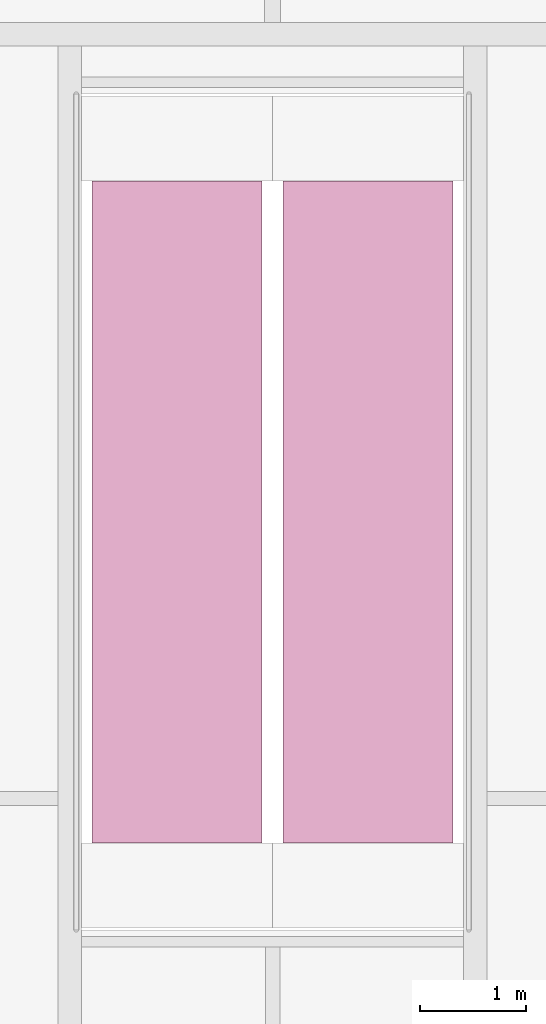
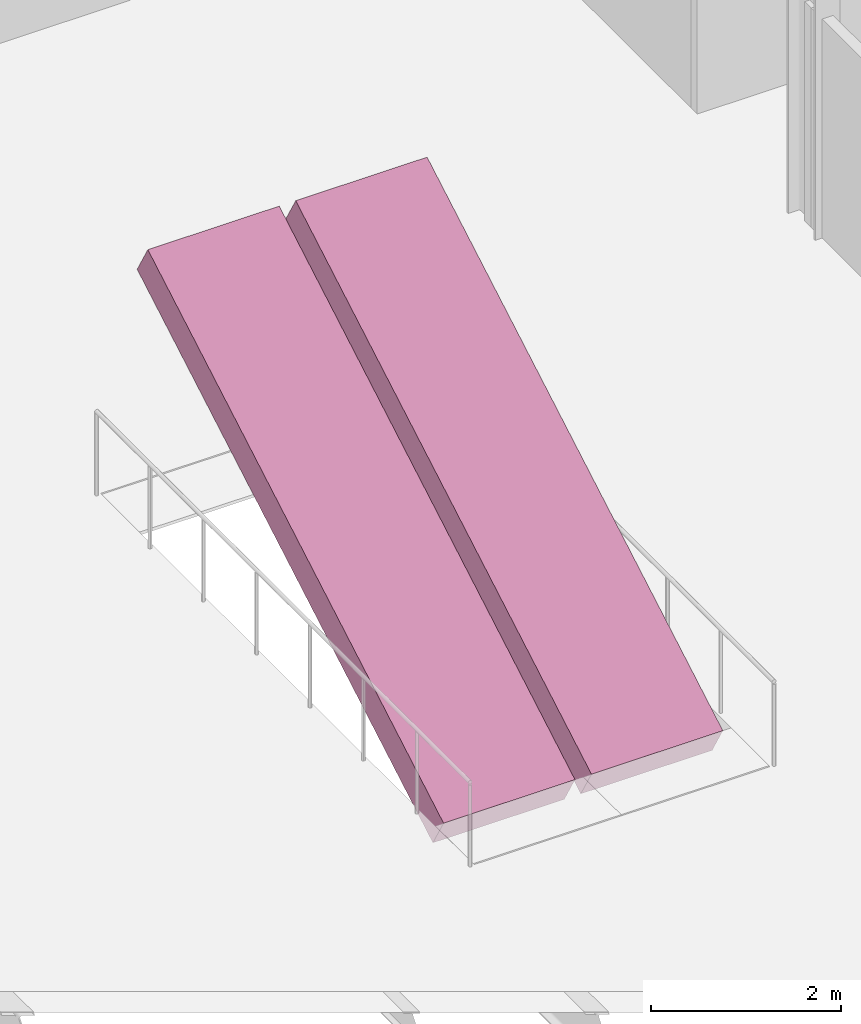
# One storey, part 90 of 90: 2 transport elements.
"""IFC4 building model written with IfcOpenShell, lengths in metres."""

from ifc_helpers import new_model, si_unit, direction, frame, origin, place, context, subcontext, project, spatial, polyline, outline, extrude, material, type_object, element, save


model = new_model("IFC4")

# Units and contexts
model_context = context("Model", 3, precision=1e-05, world=origin(), true_north=direction((0.0, 1.0)))
body_context = subcontext(model_context, "Body", "Model", "MODEL_VIEW")
ifc_project = project(units=[si_unit("LENGTHUNIT", "METRE"), si_unit("AREAUNIT", "SQUARE_METRE"), si_unit("VOLUMEUNIT", "CUBIC_METRE"), si_unit("PLANEANGLEUNIT", "RADIAN"), si_unit("MASSUNIT", "GRAM", prefix="KILO")], contexts=[model_context])

# Site, building, storey
site_placement = place(None, origin())
site = spatial("IfcSite", under=ifc_project, at=site_placement, CompositionType="ELEMENT")
building_placement = place(site_placement, origin())
building = spatial("IfcBuilding", under=site, at=building_placement, Name="Kupolbacken Congress Centre", CompositionType="ELEMENT")
storey_placement = place(building_placement, frame((0.0, 0.0, 3.60009765625)))
storey = spatial("IfcBuildingStorey", under=building, at=storey_placement, Name="L01", CompositionType="ELEMENT", Elevation=3.60009765625)

# Transport elements
ifc_material = material(Name="Steel S355", Category="steel")
transport_element_type = type_object("IfcTransportElementType", Name="ES1 escalator 1000", PredefinedType="ESCALATOR", material=ifc_material)
transport_element_1_placement = place(storey_placement, frame((41.5, 35.582275390625, 0.0), z_axis=(0.0, -0.499986626058, 0.866033125095), x_axis=(1.0, 0.0, 0.0)))
element("IfcTransportElement", 1, at=transport_element_1_placement, inside=storey, type_object=transport_element_type, Name="Escalator ES3", PredefinedType="ESCALATOR", context=body_context, shape_type="SweptSolid", body=[
    extrude(outline(polyline([(0.0, 0.0), (1.60009765625, 0.0), (1.60009765625, 7.199899613323014), (0.0, 7.199899613323014), (0.0, 0.0)])), origin(), (0.0, 0.0, -1.0), 0.449951171875),
])
transport_element_2_placement = place(storey_placement, frame((43.300048828125, 35.582275390625, 0.0), z_axis=(0.0, -0.499986626058, 0.866033125095), x_axis=(1.0, 0.0, 0.0)))
element("IfcTransportElement", 2, at=transport_element_2_placement, inside=storey, type_object=transport_element_type, Name="Escalator ES4", PredefinedType="ESCALATOR", context=body_context, shape_type="SweptSolid", body=[
    extrude(outline(polyline([(0.0, 0.0), (1.599853515625, 0.0), (1.599853515625, 7.199899613323012), (0.0, 7.199899613323012), (0.0, 0.0)])), origin(), (0.0, 0.0, -1.0), 0.449951171875),
])

save(model, "model.ifc")
